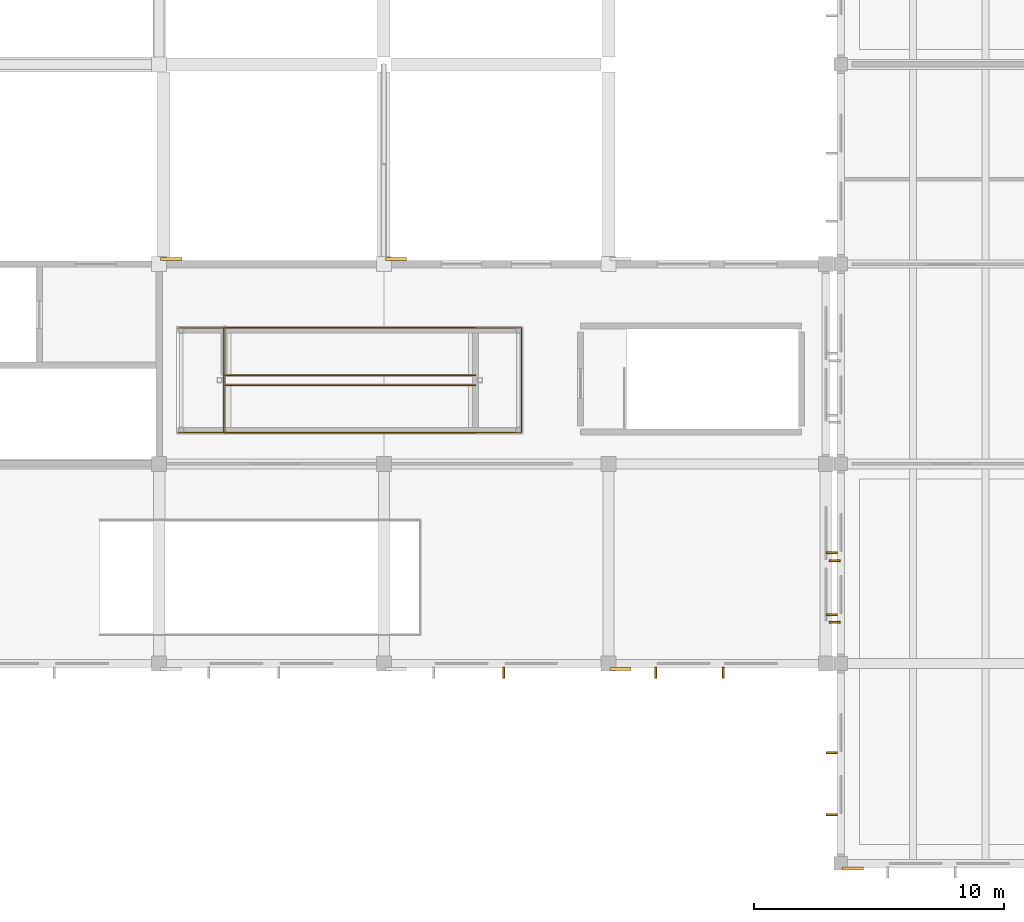
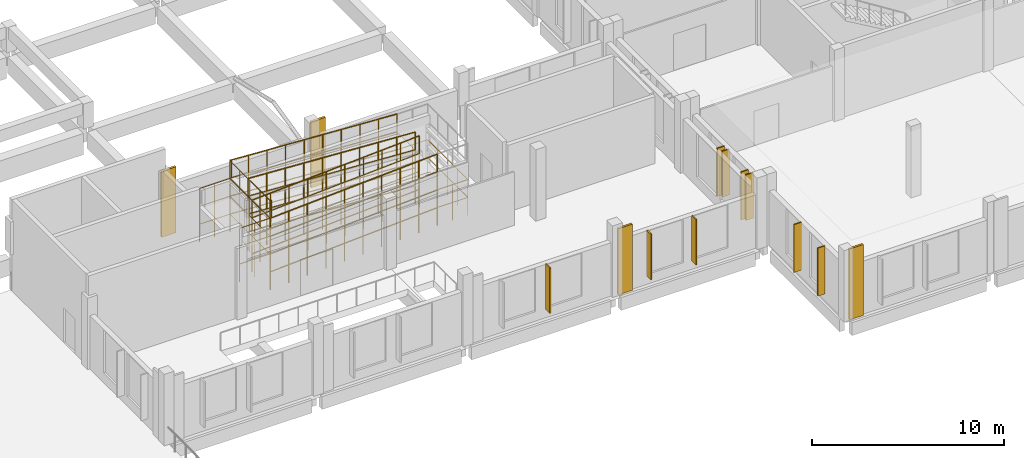
# One storey, part 50 of 63: 22 railings, 9 shading devices, 4 coverings.
"""IFC4 building model written with IfcOpenShell, lengths in metres."""

import ifcopenshell
import ifcopenshell.guid

model = None  # the IFC model being written
_history = None  # IfcOwnerHistory: only IFC2X3 demands one
_inside = {}  # id of a spatial element -> (the spatial element, [elements in it])
_under = {}  # id of a project, library or spatial element -> (it, [spatial elements below it])
_declared = {}  # id of a project -> (the project, [libraries it declares])
_typed = {}  # id of a type object -> (the type object, [elements of that type])
_made_of = {}  # id of a material, layer set ... -> (it, [elements and type objects made of it])


def new_model(schema):
    """Start an empty IFC model of exactly this schema.

    Asked for "IFC4X3", IfcOpenShell would pick the latest addendum, in which some entities
    have other attributes; the version numbers below select the first issue.
    IFC2X3 requires an IfcOwnerHistory on every rooted entity: one is made here for all.
    """
    global model, _history
    if schema == "IFC4X3":
        model = ifcopenshell.file(schema_version=(4, 3, 0, 0))
    else:
        model = ifcopenshell.file(schema=schema)
    _inside.clear()
    _under.clear()
    _declared.clear()
    _typed.clear()
    _made_of.clear()
    _history = None
    if model.schema == "IFC2X3":
        org = make("IfcOrganization", Name="unknown")
        user = make(
            "IfcPersonAndOrganization",
            ThePerson=make("IfcPerson", FamilyName="unknown"),
            TheOrganization=org,
        )
        app = make(
            "IfcApplication",
            ApplicationDeveloper=org,
            Version="unknown",
            ApplicationFullName="unknown",
            ApplicationIdentifier="unknown",
        )
        _history = make(
            "IfcOwnerHistory",
            OwningUser=user,
            OwningApplication=app,
            ChangeAction="ADDED",
            CreationDate=0,
        )
    return model


def make(cls, **values):
    """One entity of the class cls with the attributes given. An attribute that is None is left unset."""
    return model.create_entity(
        cls, **{name: value for name, value in values.items() if value is not None}
    )


def rooted(cls, **values):
    """An entity with a GlobalId (a new one), such as an element, a storey or a relation."""
    return make(cls, GlobalId=ifcopenshell.guid.new(), OwnerHistory=_history, **values)


def si_unit(unit_type, name, prefix=None):
    """IfcSIUnit, for example si_unit("LENGTHUNIT", "METRE", prefix="MILLI")."""
    return make("IfcSIUnit", UnitType=unit_type, Prefix=prefix, Name=name)


def assignment(units):
    """IfcUnitAssignment: the units of a project."""
    return None if units is None else make("IfcUnitAssignment", Units=units)


def point(xyz):
    """IfcCartesianPoint."""
    return None if xyz is None else make("IfcCartesianPoint", Coordinates=xyz)


def direction(xyz):
    """IfcDirection."""
    return None if xyz is None else make("IfcDirection", DirectionRatios=xyz)


def frame(location, z_axis=None, x_axis=None):
    """IfcAxis2Placement3D, a coordinate frame: its origin and axes. An axis left out is left unset."""
    return make(
        "IfcAxis2Placement3D",
        Location=point(location),
        Axis=direction(z_axis),
        RefDirection=direction(x_axis),
    )


def frame_2d(location, x_axis=None):
    """IfcAxis2Placement2D, a coordinate frame in the plane: its origin and x axis."""
    return make(
        "IfcAxis2Placement2D", Location=point(location), RefDirection=direction(x_axis)
    )


def origin():
    """The frame at (0, 0, 0) with its axes left unset."""
    return frame((0.0, 0.0, 0.0))


def origin_2d():
    """The frame at (0, 0) in the plane with its x axis left unset."""
    return frame_2d((0.0, 0.0))


def place(relative_to, where):
    """IfcLocalPlacement: puts the frame where relative to a parent placement (None: the world)."""
    return make(
        "IfcLocalPlacement", PlacementRelTo=relative_to, RelativePlacement=where
    )


def context(
    kind, dimensions, precision=None, world=None, true_north=None, identifier=None
):
    """IfcGeometricRepresentationContext, for example the 3D "Model" context."""
    return make(
        "IfcGeometricRepresentationContext",
        ContextIdentifier=identifier,
        ContextType=kind,
        CoordinateSpaceDimension=dimensions,
        Precision=precision,
        WorldCoordinateSystem=world,
        TrueNorth=true_north,
    )


def subcontext(parent, identifier, kind, view, scale=None):
    """IfcGeometricRepresentationSubContext, for example "Body" below "Model"."""
    return make(
        "IfcGeometricRepresentationSubContext",
        ContextIdentifier=identifier,
        ContextType=kind,
        ParentContext=parent,
        TargetScale=scale,
        TargetView=view,
    )


def project(units=None, contexts=None):
    """IfcProject with its units and contexts."""
    return rooted(
        "IfcProject",
        Name="project",
        RepresentationContexts=contexts,
        UnitsInContext=assignment(units),
    )


def spatial(cls, under=None, at=None, **own):
    """A site, building, storey or space (cls), placed at a placement, below another one or the project."""
    s = rooted(cls, ObjectPlacement=at, **own)
    if under is not None:
        _under.setdefault(under.id(), (under, []))[1].append(s)
    return s


def profile(cls, at=None, kind="AREA", **sizes):
    """A parametric profile (cls). Its sizes go by their IFC names, for example OverallWidth=200.0."""
    return make(cls, ProfileType=kind, Position=at, **sizes)


def rectangle(**sizes):
    """IfcRectangleProfileDef."""
    return profile("IfcRectangleProfileDef", **sizes)


def circle(**sizes):
    """IfcCircleProfileDef."""
    return profile("IfcCircleProfileDef", **sizes)


def extrude(swept, where, along, depth):
    """IfcExtrudedAreaSolid: the profile swept, set in the frame where, extruded along a direction by depth."""
    return make(
        "IfcExtrudedAreaSolid",
        SweptArea=swept,
        Position=where,
        ExtrudedDirection=direction(along),
        Depth=depth,
    )


def shape(context_of_items, identifier, shape_type, items):
    """IfcShapeRepresentation: the items that make up one representation, for example the "Body"."""
    return make(
        "IfcShapeRepresentation",
        ContextOfItems=context_of_items,
        RepresentationIdentifier=identifier,
        RepresentationType=shape_type,
        Items=items,
    )


def material(Name=None, Category=None):
    """IfcMaterial."""
    return make("IfcMaterial", Name=Name, Category=Category)


def layer(
    of_material, thickness, ventilated=None, Name=None, Category=None, Priority=None
):
    """IfcMaterialLayer: one layer of a wall or slab, of a material (None: an air gap)."""
    return make(
        "IfcMaterialLayer",
        Material=of_material,
        LayerThickness=thickness,
        IsVentilated=ventilated,
        Name=Name,
        Category=Category,
        Priority=Priority,
    )


def layer_set(layers, Name=None):
    """IfcMaterialLayerSet."""
    return make("IfcMaterialLayerSet", MaterialLayers=layers, LayerSetName=Name)


def made_of(thing, what):
    """Note that an element or type object is made of a material, layer set ...; save() writes the relation."""
    if what is not None:
        _made_of.setdefault(what.id(), (what, []))[1].append(thing)
    return thing


def type_object(cls, material=None, **own):
    """A type object (cls), such as IfcWallType, which elements share."""
    return made_of(rooted(cls, **own), material)


def element(
    cls,
    number,
    at=None,
    inside=None,
    cuts=None,
    type_object=None,
    material=None,
    context=None,
    identifier="Body",
    shape_type=None,
    held_by="IfcProductDefinitionShape",
    body=None,
    shapes=None,
    **own,
):
    """One element of the class cls, such as IfcWall. Its Tag is "e" and its number.

    at: its placement. inside: the storey or other place that contains it. cuts: it is an
    opening in that element (IfcRelVoidsElement). A single representation is given by context,
    identifier, shape_type and body (its items); several are given by shapes. held_by: the class
    of the entity that holds the representations. save() writes the other relations.
    """
    e = rooted(cls, Tag="e%d" % number, ObjectPlacement=at, **own)
    if body is not None:
        shapes = [shape(context, identifier, shape_type, body)]
    if shapes is not None:
        e.Representation = make(held_by, Representations=shapes)
    if inside is not None:
        _inside.setdefault(inside.id(), (inside, []))[1].append(e)
    if cuts is not None:
        rooted(
            "IfcRelVoidsElement", RelatingBuildingElement=cuts, RelatedOpeningElement=e
        )
    if type_object is not None:
        _typed.setdefault(type_object.id(), (type_object, []))[1].append(e)
    return made_of(e, material)


def aggregate(whole, parts):
    """IfcRelAggregates: a whole, such as a stair, and the parts it consists of."""
    return rooted("IfcRelAggregates", RelatingObject=whole, RelatedObjects=parts)


def save(model, path):
    """Write the relations noted so far, then the file.

    IfcRelAggregates (storeys below a building ...), IfcRelContainedInSpatialStructure (elements
    in a storey), IfcRelDefinesByType, IfcRelAssociatesMaterial and IfcRelDeclares: one each for
    every whole, place, type object, material and project.
    """
    for whole, parts in _under.values():
        aggregate(whole, parts)
    for where, things in _inside.values():
        rooted(
            "IfcRelContainedInSpatialStructure",
            RelatedElements=things,
            RelatingStructure=where,
        )
    for kind, things in _typed.values():
        rooted("IfcRelDefinesByType", RelatedObjects=things, RelatingType=kind)
    for what, things in _made_of.values():
        rooted("IfcRelAssociatesMaterial", RelatedObjects=things, RelatingMaterial=what)
    for by, libraries in _declared.values():
        rooted("IfcRelDeclares", RelatingContext=by, RelatedDefinitions=libraries)
    model.write(path)


model = new_model("IFC4")

# Units and contexts
model_context = context("Model", 3, precision=1e-05, world=origin(), true_north=direction((0.0, 1.0)))
body_context = subcontext(model_context, "Body", "Model", "MODEL_VIEW")
ifc_project = project(units=[si_unit("LENGTHUNIT", "METRE"), si_unit("AREAUNIT", "SQUARE_METRE"), si_unit("VOLUMEUNIT", "CUBIC_METRE"), si_unit("PLANEANGLEUNIT", "RADIAN"), si_unit("MASSUNIT", "GRAM", prefix="KILO")], contexts=[model_context])

# Site, building, storey
site_placement = place(None, origin())
site = spatial("IfcSite", under=ifc_project, at=site_placement, CompositionType="ELEMENT")
building_placement = place(site_placement, origin())
building = spatial("IfcBuilding", under=site, at=building_placement, Name="Zacnel Wholesale Market", CompositionType="ELEMENT")
storey_placement = place(building_placement, frame((0.0, 0.0, 11.199951171875)))
storey = spatial("IfcBuildingStorey", under=building, at=storey_placement, Name="L03", CompositionType="ELEMENT", Elevation=11.199951171875)

# Coverings
ifc_material_1 = material(Name="Honed Yucatan Maya cream limestone", Category="masonry")
ifc_layer = layer(ifc_material_1, 0.090087890625)
ifc_layer_set = layer_set([ifc_layer], Name="Honed Yucatan Maya cream limestone")
covering_type = type_object("IfcCoveringType", Name="COV-CLAD-FRET", PredefinedType="CLADDING", material=ifc_layer_set)
for number, where, z_axis, x_axis, name in (
    (1, (135.47998046875, 7.7900390625, 0.02001953125), (0.0, 0.0, 1.0), (1.0, 0.0, 0.0), "Fluted Mayan-Deco limestone pilaster L03-0188"),
    (2, (117.47998046875, 24.2099609375, 0.02001953125), (0.0, 0.0, 1.0), (1.0, 0.0, 0.0), "Fluted Mayan-Deco limestone pilaster L03-0189"),
    (3, (126.47998046875, 24.2099609375, 0.02001953125), (0.0, 0.0, 1.0), (1.0, 0.0, 0.0), "Fluted Mayan-Deco limestone pilaster L03-0190"),
):
    element("IfcCovering", number, at=place(storey_placement, frame(where, z_axis=z_axis, x_axis=x_axis)), inside=storey, type_object=covering_type, Name=name, PredefinedType="CLADDING", context=body_context, shape_type="SweptSolid", body=[
        extrude(rectangle(XDim=0.85009765625, YDim=0.1201171875, at=origin_2d()), origin(), (0.0, 0.0, 1.0), 4.2099609375),
    ])
covering_placement = place(storey_placement, frame((144.780029296875, -0.2099609375, 0.02001953125), z_axis=(0.0, 0.0, 1.0), x_axis=(1.0, 0.0, 0.0)))
element("IfcCovering", 4, at=covering_placement, inside=storey, type_object=covering_type, Name="Fluted Mayan-Deco limestone pilaster L03-0193", PredefinedType="CLADDING", context=body_context, shape_type="SweptSolid", body=[
    extrude(rectangle(XDim=0.85009765625, YDim=0.1201171875, at=origin_2d()), origin(), (0.0, 0.0, 1.0), 4.510009765625),
])

# Railings
ifc_material_2 = material(Name="Galvanized steel", Category="steel")
railing_type = type_object("IfcRailingType", Name="RAL-STAIR-GD1150", PredefinedType="BALUSTRADE", material=ifc_material_2)
for number, where, name in (
    (5, (119.60009765625, 17.25, 0.0), "Accessible ramp RP-05 (RMP-PROM-3) balustrade 1"),
    (6, (119.60009765625, 19.14990234375, 0.0), "Accessible ramp RP-05 (RMP-PROM-3) balustrade 1"),
):
    element("IfcRailing", number, at=place(storey_placement, frame(where)), inside=storey, type_object=railing_type, Name=name, PredefinedType="BALUSTRADE", context=body_context, shape_type="SweptSolid", body=[
        extrude(circle(Radius=0.0224609375, at=origin_2d()), frame((0.0, 0.0, 1.12744140625), z_axis=(0.998406997479, 0.0, 0.056422224209), x_axis=(0.0, 1.0, 0.0)), (0.0, 0.0, 1.0), 10.08203125),
        extrude(circle(Radius=0.02001953125, at=origin_2d()), origin(), (0.0, 0.0, 1.0), 1.10498046875),
        extrude(circle(Radius=0.02001953125, at=origin_2d()), frame((1.118408203125, 0.0, 0.063232421875)), (0.0, 0.0, 1.0), 1.10498046875),
        extrude(circle(Radius=0.02001953125, at=origin_2d()), frame((2.23681640625, 0.0, 0.12646484375)), (0.0, 0.0, 1.0), 1.10498046875),
        extrude(circle(Radius=0.02001953125, at=origin_2d()), frame((3.355224609375, 0.0, 0.189697265625)), (0.0, 0.0, 1.0), 1.10498046875),
        extrude(circle(Radius=0.02001953125, at=origin_2d()), frame((4.4736328125, 0.0, 0.2529296875)), (0.0, 0.0, 1.0), 1.10498046875),
        extrude(circle(Radius=0.02001953125, at=origin_2d()), frame((5.59228515625, 0.0, 0.31591796875)), (0.0, 0.0, 1.0), 1.10498046875),
        extrude(circle(Radius=0.02001953125, at=origin_2d()), frame((6.710693359375, 0.0, 0.379150390625)), (0.0, 0.0, 1.0), 1.10498046875),
        extrude(circle(Radius=0.02001953125, at=origin_2d()), frame((7.8291015625, 0.0, 0.4423828125)), (0.0, 0.0, 1.0), 1.10498046875),
        extrude(circle(Radius=0.02001953125, at=origin_2d()), frame((8.947509765625, 0.0, 0.505615234375)), (0.0, 0.0, 1.0), 1.10498046875),
        extrude(circle(Radius=0.02001953125, at=origin_2d()), frame((10.06591796875, 0.0, 0.56884765625)), (0.0, 0.0, 1.0), 1.10498046875),
    ])
railing_1_placement = place(storey_placement, frame((129.676025390625, 17.260009765625, 0.56884765625)))
element("IfcRailing", 7, at=railing_1_placement, inside=storey, type_object=railing_type, Name="Accessible ramp RP-05 (RMP-PROM-3) landing balustrade 1", PredefinedType="BALUSTRADE", context=body_context, shape_type="SweptSolid", body=[
    extrude(circle(Radius=0.0224609375, at=origin_2d()), frame((0.0, 0.0, 1.12744140625), z_axis=(1.0, 0.0, 0.0), x_axis=(0.0, 1.0, 0.0)), (0.0, 0.0, 1.0), 1.830078125),
    extrude(circle(Radius=0.0224609375, at=origin_2d()), frame((1.830078125, 0.0, 1.12744140625), z_axis=(0.0, 1.0, 0.0), x_axis=(-1.0, 0.0, 0.0)), (0.0, 0.0, 1.0), 4.179931640625),
    extrude(circle(Radius=0.0224609375, at=origin_2d()), frame((1.830078125, 4.179931640625, 1.12744140625), z_axis=(-1.0, 0.0, 0.0), x_axis=(0.0, -1.0, 0.0)), (0.0, 0.0, 1.0), 1.830078125),
    extrude(circle(Radius=0.02001953125, at=origin_2d()), origin(), (0.0, 0.0, 1.0), 1.10498046875),
    extrude(circle(Radius=0.02001953125, at=origin_2d()), frame((0.9150390625, 0.0, 0.0)), (0.0, 0.0, 1.0), 1.10498046875),
    extrude(circle(Radius=0.02001953125, at=origin_2d()), frame((1.830078125, 0.0, 0.0)), (0.0, 0.0, 1.0), 1.10498046875),
    extrude(circle(Radius=0.02001953125, at=origin_2d()), frame((1.830078125, 1.044921875, 0.0)), (0.0, 0.0, 1.0), 1.10498046875),
    extrude(circle(Radius=0.02001953125, at=origin_2d()), frame((1.830078125, 2.08984375, 0.0)), (0.0, 0.0, 1.0), 1.10498046875),
    extrude(circle(Radius=0.02001953125, at=origin_2d()), frame((1.830078125, 3.135009765625, 0.0)), (0.0, 0.0, 1.0), 1.10498046875),
    extrude(circle(Radius=0.02001953125, at=origin_2d()), frame((1.830078125, 4.179931640625, 0.0)), (0.0, 0.0, 1.0), 1.10498046875),
    extrude(circle(Radius=0.02001953125, at=origin_2d()), frame((0.9150390625, 4.179931640625, 0.0)), (0.0, 0.0, 1.0), 1.10498046875),
    extrude(circle(Radius=0.02001953125, at=origin_2d()), frame((0.0, 4.179931640625, 0.0)), (0.0, 0.0, 1.0), 1.10498046875),
])
for number, where, name in (
    (8, (129.666015625, 19.550048828125, 0.56884765625), "Accessible ramp RP-05 (RMP-PROM-3) balustrade 2"),
    (9, (129.666015625, 21.449951171875, 0.56884765625), "Accessible ramp RP-05 (RMP-PROM-3) balustrade 2"),
):
    element("IfcRailing", number, at=place(storey_placement, frame(where)), inside=storey, type_object=railing_type, Name=name, PredefinedType="BALUSTRADE", context=body_context, shape_type="SweptSolid", body=[
        extrude(circle(Radius=0.0224609375, at=origin_2d()), frame((0.0, 0.0, 1.12744140625), z_axis=(-0.998408361308, 0.0, 0.056398085702), x_axis=(0.0, -1.0, 0.0)), (0.0, 0.0, 1.0), 10.08203125),
        extrude(circle(Radius=0.02001953125, at=origin_2d()), origin(), (0.0, 0.0, 1.0), 1.10498046875),
        extrude(circle(Radius=0.02001953125, at=origin_2d()), frame((-1.118408203125, 0.0, 0.063232421875)), (0.0, 0.0, 1.0), 1.10498046875),
        extrude(circle(Radius=0.02001953125, at=origin_2d()), frame((-2.23681640625, 0.0, 0.12646484375)), (0.0, 0.0, 1.0), 1.10498046875),
        extrude(circle(Radius=0.02001953125, at=origin_2d()), frame((-3.355224609375, 0.0, 0.189453125)), (0.0, 0.0, 1.0), 1.10498046875),
        extrude(circle(Radius=0.02001953125, at=origin_2d()), frame((-4.4736328125, 0.0, 0.252685546875)), (0.0, 0.0, 1.0), 1.10498046875),
        extrude(circle(Radius=0.02001953125, at=origin_2d()), frame((-5.59228515625, 0.0, 0.31591796875)), (0.0, 0.0, 1.0), 1.10498046875),
        extrude(circle(Radius=0.02001953125, at=origin_2d()), frame((-6.710693359375, 0.0, 0.379150390625)), (0.0, 0.0, 1.0), 1.10498046875),
        extrude(circle(Radius=0.02001953125, at=origin_2d()), frame((-7.8291015625, 0.0, 0.442138671875)), (0.0, 0.0, 1.0), 1.10498046875),
        extrude(circle(Radius=0.02001953125, at=origin_2d()), frame((-8.947509765625, 0.0, 0.50537109375)), (0.0, 0.0, 1.0), 1.10498046875),
        extrude(circle(Radius=0.02001953125, at=origin_2d()), frame((-10.06591796875, 0.0, 0.568603515625)), (0.0, 0.0, 1.0), 1.10498046875),
    ])
railing_2_placement = place(storey_placement, frame((117.760009765625, 17.260009765625, 1.137451171875)))
element("IfcRailing", 10, at=railing_2_placement, inside=storey, type_object=railing_type, Name="Accessible ramp RP-05 (RMP-PROM-3) landing balustrade 2", PredefinedType="BALUSTRADE", context=body_context, shape_type="SweptSolid", body=[
    extrude(circle(Radius=0.0224609375, at=origin_2d()), frame((0.0, 0.0, 1.12744140625), z_axis=(1.0, 0.0, 0.0), x_axis=(0.0, 1.0, 0.0)), (0.0, 0.0, 1.0), 1.830078125),
    extrude(circle(Radius=0.0224609375, at=origin_2d()), frame((1.830078125, 0.0, 1.12744140625), z_axis=(0.0, 1.0, 0.0), x_axis=(-1.0, 0.0, 0.0)), (0.0, 0.0, 1.0), 4.179931640625),
    extrude(circle(Radius=0.0224609375, at=origin_2d()), frame((1.830078125, 4.179931640625, 1.12744140625), z_axis=(-1.0, 0.0, 0.0), x_axis=(0.0, -1.0, 0.0)), (0.0, 0.0, 1.0), 1.830078125),
    extrude(circle(Radius=0.02001953125, at=origin_2d()), origin(), (0.0, 0.0, 1.0), 1.10498046875),
    extrude(circle(Radius=0.02001953125, at=origin_2d()), frame((0.9150390625, 0.0, 0.0)), (0.0, 0.0, 1.0), 1.10498046875),
    extrude(circle(Radius=0.02001953125, at=origin_2d()), frame((1.830078125, 0.0, 0.0)), (0.0, 0.0, 1.0), 1.10498046875),
    extrude(circle(Radius=0.02001953125, at=origin_2d()), frame((1.830078125, 1.044921875, 0.0)), (0.0, 0.0, 1.0), 1.10498046875),
    extrude(circle(Radius=0.02001953125, at=origin_2d()), frame((1.830078125, 2.08984375, 0.0)), (0.0, 0.0, 1.0), 1.10498046875),
    extrude(circle(Radius=0.02001953125, at=origin_2d()), frame((1.830078125, 3.135009765625, 0.0)), (0.0, 0.0, 1.0), 1.10498046875),
    extrude(circle(Radius=0.02001953125, at=origin_2d()), frame((1.830078125, 4.179931640625, 0.0)), (0.0, 0.0, 1.0), 1.10498046875),
    extrude(circle(Radius=0.02001953125, at=origin_2d()), frame((0.9150390625, 4.179931640625, 0.0)), (0.0, 0.0, 1.0), 1.10498046875),
    extrude(circle(Radius=0.02001953125, at=origin_2d()), frame((0.0, 4.179931640625, 0.0)), (0.0, 0.0, 1.0), 1.10498046875),
])
for number, where, name in (
    (11, (119.60009765625, 17.25, 1.137451171875), "Accessible ramp RP-05 (RMP-PROM-3) balustrade 3"),
    (12, (119.60009765625, 19.14990234375, 1.137451171875), "Accessible ramp RP-05 (RMP-PROM-3) balustrade 3"),
):
    element("IfcRailing", number, at=place(storey_placement, frame(where)), inside=storey, type_object=railing_type, Name=name, PredefinedType="BALUSTRADE", context=body_context, shape_type="SweptSolid", body=[
        extrude(circle(Radius=0.0224609375, at=origin_2d()), frame((0.0, 0.0, 1.12744140625), z_axis=(0.998406997479, 0.0, 0.056422224209), x_axis=(0.0, 1.0, 0.0)), (0.0, 0.0, 1.0), 10.08203125),
        extrude(circle(Radius=0.02001953125, at=origin_2d()), origin(), (0.0, 0.0, 1.0), 1.10498046875),
        extrude(circle(Radius=0.02001953125, at=origin_2d()), frame((1.118408203125, 0.0, 0.063232421875)), (0.0, 0.0, 1.0), 1.10498046875),
        extrude(circle(Radius=0.02001953125, at=origin_2d()), frame((2.23681640625, 0.0, 0.12646484375)), (0.0, 0.0, 1.0), 1.10498046875),
        extrude(circle(Radius=0.02001953125, at=origin_2d()), frame((3.355224609375, 0.0, 0.189697265625)), (0.0, 0.0, 1.0), 1.10498046875),
        extrude(circle(Radius=0.02001953125, at=origin_2d()), frame((4.4736328125, 0.0, 0.2529296875)), (0.0, 0.0, 1.0), 1.10498046875),
        extrude(circle(Radius=0.02001953125, at=origin_2d()), frame((5.59228515625, 0.0, 0.31591796875)), (0.0, 0.0, 1.0), 1.10498046875),
        extrude(circle(Radius=0.02001953125, at=origin_2d()), frame((6.710693359375, 0.0, 0.379150390625)), (0.0, 0.0, 1.0), 1.10498046875),
        extrude(circle(Radius=0.02001953125, at=origin_2d()), frame((7.8291015625, 0.0, 0.4423828125)), (0.0, 0.0, 1.0), 1.10498046875),
        extrude(circle(Radius=0.02001953125, at=origin_2d()), frame((8.947509765625, 0.0, 0.505615234375)), (0.0, 0.0, 1.0), 1.10498046875),
        extrude(circle(Radius=0.02001953125, at=origin_2d()), frame((10.06591796875, 0.0, 0.56884765625)), (0.0, 0.0, 1.0), 1.10498046875),
    ])
railing_3_placement = place(storey_placement, frame((129.676025390625, 17.260009765625, 1.706298828125)))
element("IfcRailing", 13, at=railing_3_placement, inside=storey, type_object=railing_type, Name="Accessible ramp RP-05 (RMP-PROM-3) landing balustrade 3", PredefinedType="BALUSTRADE", context=body_context, shape_type="SweptSolid", body=[
    extrude(circle(Radius=0.0224609375, at=origin_2d()), frame((0.0, 0.0, 1.12744140625), z_axis=(1.0, 0.0, 0.0), x_axis=(0.0, 1.0, 0.0)), (0.0, 0.0, 1.0), 1.830078125),
    extrude(circle(Radius=0.0224609375, at=origin_2d()), frame((1.830078125, 0.0, 1.12744140625), z_axis=(0.0, 1.0, 0.0), x_axis=(-1.0, 0.0, 0.0)), (0.0, 0.0, 1.0), 4.179931640625),
    extrude(circle(Radius=0.0224609375, at=origin_2d()), frame((1.830078125, 4.179931640625, 1.12744140625), z_axis=(-1.0, 0.0, 0.0), x_axis=(0.0, -1.0, 0.0)), (0.0, 0.0, 1.0), 1.830078125),
    extrude(circle(Radius=0.02001953125, at=origin_2d()), origin(), (0.0, 0.0, 1.0), 1.10498046875),
    extrude(circle(Radius=0.02001953125, at=origin_2d()), frame((0.9150390625, 0.0, 0.0)), (0.0, 0.0, 1.0), 1.10498046875),
    extrude(circle(Radius=0.02001953125, at=origin_2d()), frame((1.830078125, 0.0, 0.0)), (0.0, 0.0, 1.0), 1.10498046875),
    extrude(circle(Radius=0.02001953125, at=origin_2d()), frame((1.830078125, 1.044921875, 0.0)), (0.0, 0.0, 1.0), 1.10498046875),
    extrude(circle(Radius=0.02001953125, at=origin_2d()), frame((1.830078125, 2.08984375, 0.0)), (0.0, 0.0, 1.0), 1.10498046875),
    extrude(circle(Radius=0.02001953125, at=origin_2d()), frame((1.830078125, 3.135009765625, 0.0)), (0.0, 0.0, 1.0), 1.10498046875),
    extrude(circle(Radius=0.02001953125, at=origin_2d()), frame((1.830078125, 4.179931640625, 0.0)), (0.0, 0.0, 1.0), 1.10498046875),
    extrude(circle(Radius=0.02001953125, at=origin_2d()), frame((0.9150390625, 4.179931640625, 0.0)), (0.0, 0.0, 1.0), 1.10498046875),
    extrude(circle(Radius=0.02001953125, at=origin_2d()), frame((0.0, 4.179931640625, 0.0)), (0.0, 0.0, 1.0), 1.10498046875),
])
for number, where, name in (
    (14, (129.666015625, 19.550048828125, 1.706298828125), "Accessible ramp RP-05 (RMP-PROM-3) balustrade 4"),
    (15, (129.666015625, 21.449951171875, 1.706298828125), "Accessible ramp RP-05 (RMP-PROM-3) balustrade 4"),
):
    element("IfcRailing", number, at=place(storey_placement, frame(where)), inside=storey, type_object=railing_type, Name=name, PredefinedType="BALUSTRADE", context=body_context, shape_type="SweptSolid", body=[
        extrude(circle(Radius=0.0224609375, at=origin_2d()), frame((0.0, 0.0, 1.12744140625), z_axis=(-0.998406997479, 0.0, 0.056422224209), x_axis=(0.0, -1.0, 0.0)), (0.0, 0.0, 1.0), 10.08203125),
        extrude(circle(Radius=0.02001953125, at=origin_2d()), origin(), (0.0, 0.0, 1.0), 1.10498046875),
        extrude(circle(Radius=0.02001953125, at=origin_2d()), frame((-1.118408203125, 0.0, 0.063232421875)), (0.0, 0.0, 1.0), 1.10498046875),
        extrude(circle(Radius=0.02001953125, at=origin_2d()), frame((-2.23681640625, 0.0, 0.12646484375)), (0.0, 0.0, 1.0), 1.10498046875),
        extrude(circle(Radius=0.02001953125, at=origin_2d()), frame((-3.355224609375, 0.0, 0.189697265625)), (0.0, 0.0, 1.0), 1.10498046875),
        extrude(circle(Radius=0.02001953125, at=origin_2d()), frame((-4.4736328125, 0.0, 0.2529296875)), (0.0, 0.0, 1.0), 1.10498046875),
        extrude(circle(Radius=0.02001953125, at=origin_2d()), frame((-5.59228515625, 0.0, 0.31591796875)), (0.0, 0.0, 1.0), 1.10498046875),
        extrude(circle(Radius=0.02001953125, at=origin_2d()), frame((-6.710693359375, 0.0, 0.379150390625)), (0.0, 0.0, 1.0), 1.10498046875),
        extrude(circle(Radius=0.02001953125, at=origin_2d()), frame((-7.8291015625, 0.0, 0.4423828125)), (0.0, 0.0, 1.0), 1.10498046875),
        extrude(circle(Radius=0.02001953125, at=origin_2d()), frame((-8.947509765625, 0.0, 0.505615234375)), (0.0, 0.0, 1.0), 1.10498046875),
        extrude(circle(Radius=0.02001953125, at=origin_2d()), frame((-10.06591796875, 0.0, 0.56884765625)), (0.0, 0.0, 1.0), 1.10498046875),
    ])
railing_4_placement = place(storey_placement, frame((117.760009765625, 17.260009765625, 2.275146484375)))
element("IfcRailing", 16, at=railing_4_placement, inside=storey, type_object=railing_type, Name="Accessible ramp RP-05 (RMP-PROM-3) landing balustrade 4", PredefinedType="BALUSTRADE", context=body_context, shape_type="SweptSolid", body=[
    extrude(circle(Radius=0.0224609375, at=origin_2d()), frame((0.0, 0.0, 1.12744140625), z_axis=(1.0, 0.0, 0.0), x_axis=(0.0, 1.0, 0.0)), (0.0, 0.0, 1.0), 1.830078125),
    extrude(circle(Radius=0.0224609375, at=origin_2d()), frame((1.830078125, 0.0, 1.12744140625), z_axis=(0.0, 1.0, 0.0), x_axis=(-1.0, 0.0, 0.0)), (0.0, 0.0, 1.0), 4.179931640625),
    extrude(circle(Radius=0.0224609375, at=origin_2d()), frame((1.830078125, 4.179931640625, 1.12744140625), z_axis=(-1.0, 0.0, 0.0), x_axis=(0.0, -1.0, 0.0)), (0.0, 0.0, 1.0), 1.830078125),
    extrude(circle(Radius=0.02001953125, at=origin_2d()), origin(), (0.0, 0.0, 1.0), 1.10498046875),
    extrude(circle(Radius=0.02001953125, at=origin_2d()), frame((0.9150390625, 0.0, 0.0)), (0.0, 0.0, 1.0), 1.10498046875),
    extrude(circle(Radius=0.02001953125, at=origin_2d()), frame((1.830078125, 0.0, 0.0)), (0.0, 0.0, 1.0), 1.10498046875),
    extrude(circle(Radius=0.02001953125, at=origin_2d()), frame((1.830078125, 1.044921875, 0.0)), (0.0, 0.0, 1.0), 1.10498046875),
    extrude(circle(Radius=0.02001953125, at=origin_2d()), frame((1.830078125, 2.08984375, 0.0)), (0.0, 0.0, 1.0), 1.10498046875),
    extrude(circle(Radius=0.02001953125, at=origin_2d()), frame((1.830078125, 3.135009765625, 0.0)), (0.0, 0.0, 1.0), 1.10498046875),
    extrude(circle(Radius=0.02001953125, at=origin_2d()), frame((1.830078125, 4.179931640625, 0.0)), (0.0, 0.0, 1.0), 1.10498046875),
    extrude(circle(Radius=0.02001953125, at=origin_2d()), frame((0.9150390625, 4.179931640625, 0.0)), (0.0, 0.0, 1.0), 1.10498046875),
    extrude(circle(Radius=0.02001953125, at=origin_2d()), frame((0.0, 4.179931640625, 0.0)), (0.0, 0.0, 1.0), 1.10498046875),
])
for number, where, name in (
    (17, (119.60009765625, 17.25, 2.275146484375), "Accessible ramp RP-05 (RMP-PROM-3) balustrade 5"),
    (18, (119.60009765625, 19.14990234375, 2.275146484375), "Accessible ramp RP-05 (RMP-PROM-3) balustrade 5"),
):
    element("IfcRailing", number, at=place(storey_placement, frame(where)), inside=storey, type_object=railing_type, Name=name, PredefinedType="BALUSTRADE", context=body_context, shape_type="SweptSolid", body=[
        extrude(circle(Radius=0.0224609375, at=origin_2d()), frame((0.0, 0.0, 1.12744140625), z_axis=(0.998408361308, 0.0, 0.056398085702), x_axis=(0.0, 1.0, 0.0)), (0.0, 0.0, 1.0), 10.08203125),
        extrude(circle(Radius=0.02001953125, at=origin_2d()), origin(), (0.0, 0.0, 1.0), 1.10498046875),
        extrude(circle(Radius=0.02001953125, at=origin_2d()), frame((1.118408203125, 0.0, 0.063232421875)), (0.0, 0.0, 1.0), 1.10498046875),
        extrude(circle(Radius=0.02001953125, at=origin_2d()), frame((2.23681640625, 0.0, 0.12646484375)), (0.0, 0.0, 1.0), 1.10498046875),
        extrude(circle(Radius=0.02001953125, at=origin_2d()), frame((3.355224609375, 0.0, 0.189453125)), (0.0, 0.0, 1.0), 1.10498046875),
        extrude(circle(Radius=0.02001953125, at=origin_2d()), frame((4.4736328125, 0.0, 0.252685546875)), (0.0, 0.0, 1.0), 1.10498046875),
        extrude(circle(Radius=0.02001953125, at=origin_2d()), frame((5.59228515625, 0.0, 0.31591796875)), (0.0, 0.0, 1.0), 1.10498046875),
        extrude(circle(Radius=0.02001953125, at=origin_2d()), frame((6.710693359375, 0.0, 0.379150390625)), (0.0, 0.0, 1.0), 1.10498046875),
        extrude(circle(Radius=0.02001953125, at=origin_2d()), frame((7.8291015625, 0.0, 0.442138671875)), (0.0, 0.0, 1.0), 1.10498046875),
        extrude(circle(Radius=0.02001953125, at=origin_2d()), frame((8.947509765625, 0.0, 0.50537109375)), (0.0, 0.0, 1.0), 1.10498046875),
        extrude(circle(Radius=0.02001953125, at=origin_2d()), frame((10.06591796875, 0.0, 0.568603515625)), (0.0, 0.0, 1.0), 1.10498046875),
    ])
for number, where, name in (
    (19, (129.666015625, 19.550048828125, 2.84375), "Accessible ramp RP-05 (RMP-PROM-3) balustrade 6"),
    (20, (129.666015625, 21.449951171875, 2.84375), "Accessible ramp RP-05 (RMP-PROM-3) balustrade 6"),
):
    element("IfcRailing", number, at=place(storey_placement, frame(where)), inside=storey, type_object=railing_type, Name=name, PredefinedType="BALUSTRADE", context=body_context, shape_type="SweptSolid", body=[
        extrude(circle(Radius=0.0224609375, at=origin_2d()), frame((0.0, 0.0, 1.12744140625), z_axis=(-0.998406997479, 0.0, 0.056422224209), x_axis=(0.0, -1.0, 0.0)), (0.0, 0.0, 1.0), 10.08203125),
        extrude(circle(Radius=0.02001953125, at=origin_2d()), origin(), (0.0, 0.0, 1.0), 1.10498046875),
        extrude(circle(Radius=0.02001953125, at=origin_2d()), frame((-1.118408203125, 0.0, 0.063232421875)), (0.0, 0.0, 1.0), 1.10498046875),
        extrude(circle(Radius=0.02001953125, at=origin_2d()), frame((-2.23681640625, 0.0, 0.12646484375)), (0.0, 0.0, 1.0), 1.10498046875),
        extrude(circle(Radius=0.02001953125, at=origin_2d()), frame((-3.355224609375, 0.0, 0.189697265625)), (0.0, 0.0, 1.0), 1.10498046875),
        extrude(circle(Radius=0.02001953125, at=origin_2d()), frame((-4.4736328125, 0.0, 0.2529296875)), (0.0, 0.0, 1.0), 1.10498046875),
        extrude(circle(Radius=0.02001953125, at=origin_2d()), frame((-5.59228515625, 0.0, 0.31591796875)), (0.0, 0.0, 1.0), 1.10498046875),
        extrude(circle(Radius=0.02001953125, at=origin_2d()), frame((-6.710693359375, 0.0, 0.379150390625)), (0.0, 0.0, 1.0), 1.10498046875),
        extrude(circle(Radius=0.02001953125, at=origin_2d()), frame((-7.8291015625, 0.0, 0.4423828125)), (0.0, 0.0, 1.0), 1.10498046875),
        extrude(circle(Radius=0.02001953125, at=origin_2d()), frame((-8.947509765625, 0.0, 0.505615234375)), (0.0, 0.0, 1.0), 1.10498046875),
        extrude(circle(Radius=0.02001953125, at=origin_2d()), frame((-10.06591796875, 0.0, 0.56884765625)), (0.0, 0.0, 1.0), 1.10498046875),
    ])
railing_5_placement = place(storey_placement, frame((117.760009765625, 17.260009765625, 3.41259765625)))
element("IfcRailing", 21, at=railing_5_placement, inside=storey, type_object=railing_type, Name="Accessible ramp RP-05 (RMP-PROM-3) landing balustrade 6", PredefinedType="BALUSTRADE", context=body_context, shape_type="SweptSolid", body=[
    extrude(circle(Radius=0.0224609375, at=origin_2d()), frame((0.0, 0.0, 1.12744140625), z_axis=(1.0, 0.0, 0.0), x_axis=(0.0, 1.0, 0.0)), (0.0, 0.0, 1.0), 1.830078125),
    extrude(circle(Radius=0.0224609375, at=origin_2d()), frame((1.830078125, 0.0, 1.12744140625), z_axis=(0.0, 1.0, 0.0), x_axis=(-1.0, 0.0, 0.0)), (0.0, 0.0, 1.0), 4.179931640625),
    extrude(circle(Radius=0.0224609375, at=origin_2d()), frame((1.830078125, 4.179931640625, 1.12744140625), z_axis=(-1.0, 0.0, 0.0), x_axis=(0.0, -1.0, 0.0)), (0.0, 0.0, 1.0), 1.830078125),
    extrude(circle(Radius=0.02001953125, at=origin_2d()), origin(), (0.0, 0.0, 1.0), 1.10498046875),
    extrude(circle(Radius=0.02001953125, at=origin_2d()), frame((0.9150390625, 0.0, 0.0)), (0.0, 0.0, 1.0), 1.10498046875),
    extrude(circle(Radius=0.02001953125, at=origin_2d()), frame((1.830078125, 0.0, 0.0)), (0.0, 0.0, 1.0), 1.10498046875),
    extrude(circle(Radius=0.02001953125, at=origin_2d()), frame((1.830078125, 1.044921875, 0.0)), (0.0, 0.0, 1.0), 1.10498046875),
    extrude(circle(Radius=0.02001953125, at=origin_2d()), frame((1.830078125, 2.08984375, 0.0)), (0.0, 0.0, 1.0), 1.10498046875),
    extrude(circle(Radius=0.02001953125, at=origin_2d()), frame((1.830078125, 3.135009765625, 0.0)), (0.0, 0.0, 1.0), 1.10498046875),
    extrude(circle(Radius=0.02001953125, at=origin_2d()), frame((1.830078125, 4.179931640625, 0.0)), (0.0, 0.0, 1.0), 1.10498046875),
    extrude(circle(Radius=0.02001953125, at=origin_2d()), frame((0.9150390625, 4.179931640625, 0.0)), (0.0, 0.0, 1.0), 1.10498046875),
    extrude(circle(Radius=0.02001953125, at=origin_2d()), frame((0.0, 4.179931640625, 0.0)), (0.0, 0.0, 1.0), 1.10498046875),
])
for number, where, name in (
    (22, (119.60009765625, 17.25, 3.41259765625), "Accessible ramp RP-05 (RMP-PROM-3) balustrade 7"),
    (23, (119.60009765625, 19.14990234375, 3.41259765625), "Accessible ramp RP-05 (RMP-PROM-3) balustrade 7"),
):
    element("IfcRailing", number, at=place(storey_placement, frame(where)), inside=storey, type_object=railing_type, Name=name, PredefinedType="BALUSTRADE", context=body_context, shape_type="SweptSolid", body=[
        extrude(circle(Radius=0.0224609375, at=origin_2d()), frame((0.0, 0.0, 1.12744140625), z_axis=(0.998406997479, 0.0, 0.056422224209), x_axis=(0.0, 1.0, 0.0)), (0.0, 0.0, 1.0), 10.08203125),
        extrude(circle(Radius=0.02001953125, at=origin_2d()), origin(), (0.0, 0.0, 1.0), 1.10498046875),
        extrude(circle(Radius=0.02001953125, at=origin_2d()), frame((1.118408203125, 0.0, 0.063232421875)), (0.0, 0.0, 1.0), 1.10498046875),
        extrude(circle(Radius=0.02001953125, at=origin_2d()), frame((2.23681640625, 0.0, 0.12646484375)), (0.0, 0.0, 1.0), 1.10498046875),
        extrude(circle(Radius=0.02001953125, at=origin_2d()), frame((3.355224609375, 0.0, 0.189697265625)), (0.0, 0.0, 1.0), 1.10498046875),
        extrude(circle(Radius=0.02001953125, at=origin_2d()), frame((4.4736328125, 0.0, 0.2529296875)), (0.0, 0.0, 1.0), 1.10498046875),
        extrude(circle(Radius=0.02001953125, at=origin_2d()), frame((5.59228515625, 0.0, 0.31591796875)), (0.0, 0.0, 1.0), 1.10498046875),
        extrude(circle(Radius=0.02001953125, at=origin_2d()), frame((6.710693359375, 0.0, 0.379150390625)), (0.0, 0.0, 1.0), 1.10498046875),
        extrude(circle(Radius=0.02001953125, at=origin_2d()), frame((7.8291015625, 0.0, 0.4423828125)), (0.0, 0.0, 1.0), 1.10498046875),
        extrude(circle(Radius=0.02001953125, at=origin_2d()), frame((8.947509765625, 0.0, 0.505615234375)), (0.0, 0.0, 1.0), 1.10498046875),
        extrude(circle(Radius=0.02001953125, at=origin_2d()), frame((10.06591796875, 0.0, 0.56884765625)), (0.0, 0.0, 1.0), 1.10498046875),
    ])
for number, where, name in (
    (24, (129.666015625, 19.550048828125, 3.9814453125), "Accessible ramp RP-05 (RMP-PROM-3) balustrade 8"),
    (25, (129.666015625, 21.449951171875, 3.9814453125), "Accessible ramp RP-05 (RMP-PROM-3) balustrade 8"),
):
    element("IfcRailing", number, at=place(storey_placement, frame(where)), inside=storey, type_object=railing_type, Name=name, PredefinedType="BALUSTRADE", context=body_context, shape_type="SweptSolid", body=[
        extrude(circle(Radius=0.0224609375, at=origin_2d()), frame((0.0, 0.0, 1.12744140625), z_axis=(-0.998408361308, 0.0, 0.056398085702), x_axis=(0.0, -1.0, 0.0)), (0.0, 0.0, 1.0), 10.08203125),
        extrude(circle(Radius=0.02001953125, at=origin_2d()), origin(), (0.0, 0.0, 1.0), 1.10498046875),
        extrude(circle(Radius=0.02001953125, at=origin_2d()), frame((-1.118408203125, 0.0, 0.063232421875)), (0.0, 0.0, 1.0), 1.10498046875),
        extrude(circle(Radius=0.02001953125, at=origin_2d()), frame((-2.23681640625, 0.0, 0.12646484375)), (0.0, 0.0, 1.0), 1.10498046875),
        extrude(circle(Radius=0.02001953125, at=origin_2d()), frame((-3.355224609375, 0.0, 0.189453125)), (0.0, 0.0, 1.0), 1.10498046875),
        extrude(circle(Radius=0.02001953125, at=origin_2d()), frame((-4.4736328125, 0.0, 0.252685546875)), (0.0, 0.0, 1.0), 1.10498046875),
        extrude(circle(Radius=0.02001953125, at=origin_2d()), frame((-5.59228515625, 0.0, 0.31591796875)), (0.0, 0.0, 1.0), 1.10498046875),
        extrude(circle(Radius=0.02001953125, at=origin_2d()), frame((-6.710693359375, 0.0, 0.379150390625)), (0.0, 0.0, 1.0), 1.10498046875),
        extrude(circle(Radius=0.02001953125, at=origin_2d()), frame((-7.8291015625, 0.0, 0.442138671875)), (0.0, 0.0, 1.0), 1.10498046875),
        extrude(circle(Radius=0.02001953125, at=origin_2d()), frame((-8.947509765625, 0.0, 0.50537109375)), (0.0, 0.0, 1.0), 1.10498046875),
        extrude(circle(Radius=0.02001953125, at=origin_2d()), frame((-10.06591796875, 0.0, 0.568603515625)), (0.0, 0.0, 1.0), 1.10498046875),
    ])
railing_6_placement = place(storey_placement, frame((119.68994140625, 17.260009765625, 4.550048828125)))
element("IfcRailing", 26, at=railing_6_placement, inside=storey, type_object=railing_type, Name="Accessible ramp RP-05 (RMP-PROM-3) landing balustrade 8", PredefinedType="BALUSTRADE", context=body_context, shape_type="SweptSolid", body=[
    extrude(circle(Radius=0.0224609375, at=origin_2d()), frame((0.0, 0.0, 1.12744140625), z_axis=(-1.0, 0.0, 0.0), x_axis=(0.0, -1.0, 0.0)), (0.0, 0.0, 1.0), 0.099853515625),
    extrude(circle(Radius=0.0224609375, at=origin_2d()), frame((-0.099853515625, 0.0, 1.12744140625), z_axis=(0.0, 1.0, 0.0), x_axis=(-1.0, 0.0, 0.0)), (0.0, 0.0, 1.0), 4.179931640625),
    extrude(circle(Radius=0.0224609375, at=origin_2d()), frame((-0.099853515625, 4.179931640625, 1.12744140625), z_axis=(1.0, 0.0, 0.0), x_axis=(0.0, 1.0, 0.0)), (0.0, 0.0, 1.0), 0.099853515625),
    extrude(circle(Radius=0.02001953125, at=origin_2d()), origin(), (0.0, 0.0, 1.0), 1.10498046875),
    extrude(circle(Radius=0.02001953125, at=origin_2d()), frame((-0.099853515625, 0.0, 0.0)), (0.0, 0.0, 1.0), 1.10498046875),
    extrude(circle(Radius=0.02001953125, at=origin_2d()), frame((-0.099853515625, 1.044921875, 0.0)), (0.0, 0.0, 1.0), 1.10498046875),
    extrude(circle(Radius=0.02001953125, at=origin_2d()), frame((-0.099853515625, 2.08984375, 0.0)), (0.0, 0.0, 1.0), 1.10498046875),
    extrude(circle(Radius=0.02001953125, at=origin_2d()), frame((-0.099853515625, 3.135009765625, 0.0)), (0.0, 0.0, 1.0), 1.10498046875),
    extrude(circle(Radius=0.02001953125, at=origin_2d()), frame((-0.099853515625, 4.179931640625, 0.0)), (0.0, 0.0, 1.0), 1.10498046875),
    extrude(circle(Radius=0.02001953125, at=origin_2d()), frame((0.0, 4.179931640625, 0.0)), (0.0, 0.0, 1.0), 1.10498046875),
])

# Shading devices
ifc_material_3 = material(Name="Honed Yucatan Maya cream limestone", Category="masonry")
shading_device_type = type_object("IfcShadingDeviceType", Name="SHD-FIN-V450", PredefinedType="USERDEFINED", material=ifc_material_3)
for number, where, z_axis, x_axis, name in (
    (27, (130.7900390625, 7.639892578125, 0.53515625), (0.0, 0.0, 1.0), (1.0, 0.0, 0.0), "Limestone sunshade fin 0216"),
    (28, (136.889892578125, 7.639892578125, 0.53515625), (0.0, 0.0, 1.0), (1.0, 0.0, 0.0), "Limestone sunshade fin 0217"),
    (29, (139.590087890625, 7.639892578125, 0.53515625), (0.0, 0.0, 1.0), (1.0, 0.0, 0.0), "Limestone sunshade fin 0218"),
    (30, (144.06005859375, 9.656982421875, 0.53515625), (0.0, 0.0, 1.0), (0.0, 1.0, 0.0), "Limestone sunshade fin 0221"),
    (31, (144.06005859375, 12.123046875, 0.53515625), (0.0, 0.0, 1.0), (0.0, 1.0, 0.0), "Limestone sunshade fin 0222"),
):
    element("IfcShadingDevice", number, at=place(storey_placement, frame(where, z_axis=z_axis, x_axis=x_axis)), inside=storey, type_object=shading_device_type, Name=name, ObjectType="SUNSHADE", PredefinedType="USERDEFINED", context=body_context, shape_type="SweptSolid", body=[
        extrude(rectangle(XDim=0.080078125, YDim=0.43994140625, at=origin_2d()), origin(), (0.0, 0.0, 1.0), 2.89990234375),
    ])
for number, where, z_axis, x_axis, name in (
    (32, (143.93994140625, 1.947998046875, 0.43505859375), (0.0, 0.0, 1.0), (0.0, 1.0, 0.0), "Limestone sunshade fin 0239"),
    (33, (143.93994140625, 4.431884765625, 0.43505859375), (0.0, 0.0, 1.0), (0.0, 1.0, 0.0), "Limestone sunshade fin 0240"),
    (34, (143.93994140625, 9.947998046875, 0.43505859375), (0.0, 0.0, 1.0), (0.0, 1.0, 0.0), "Limestone sunshade fin 0241"),
    (35, (143.93994140625, 12.431884765625, 0.43505859375), (0.0, 0.0, 1.0), (0.0, 1.0, 0.0), "Limestone sunshade fin 0242"),
):
    element("IfcShadingDevice", number, at=place(storey_placement, frame(where, z_axis=z_axis, x_axis=x_axis)), inside=storey, type_object=shading_device_type, Name=name, ObjectType="SUNSHADE", PredefinedType="USERDEFINED", context=body_context, shape_type="SweptSolid", body=[
        extrude(rectangle(XDim=0.080078125, YDim=0.43994140625, at=origin_2d()), origin(), (0.0, 0.0, 1.0), 3.050048828125),
    ])

save(model, "model.ifc")
